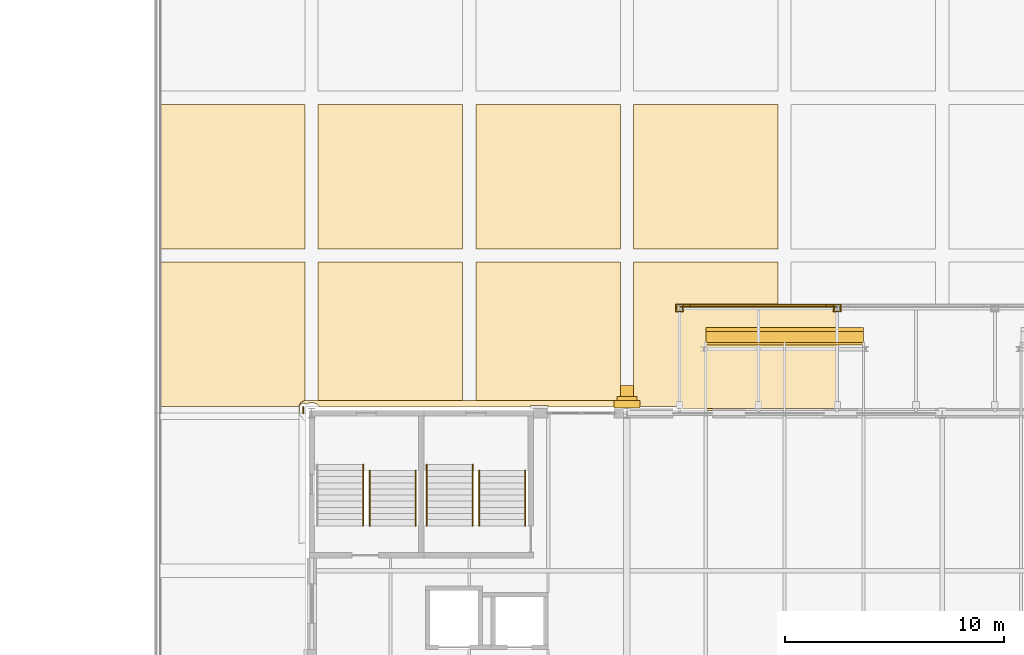
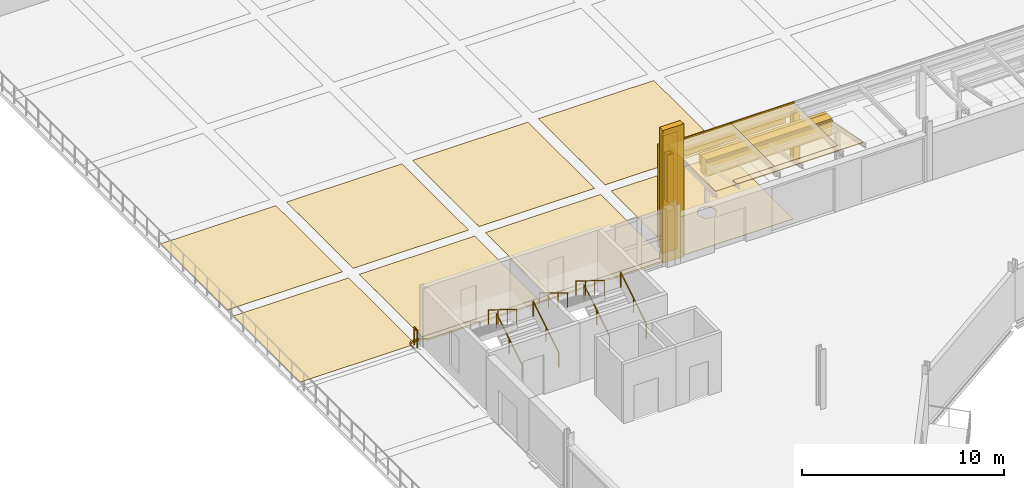
# One storey, part 112 of 143: 30 coverings, 8 railings.
"""IFC4 building model written with IfcOpenShell, lengths in metres."""

from ifc_helpers import new_model, si_unit, direction, frame, origin, origin_2d, place, context, subcontext, project, spatial, polyline, rectangle, circle, outline, extrude, material, layer, layer_set, type_object, element, save


model = new_model("IFC4")

# Units and contexts
model_context = context("Model", 3, precision=1e-05, world=origin(), true_north=direction((0.0, 1.0)))
body_context = subcontext(model_context, "Body", "Model", "MODEL_VIEW")
ifc_project = project(units=[si_unit("LENGTHUNIT", "METRE"), si_unit("AREAUNIT", "SQUARE_METRE"), si_unit("VOLUMEUNIT", "CUBIC_METRE"), si_unit("PLANEANGLEUNIT", "RADIAN"), si_unit("MASSUNIT", "GRAM", prefix="KILO")], contexts=[model_context])

# Site, building, storey
site_placement = place(None, origin())
site = spatial("IfcSite", under=ifc_project, at=site_placement, CompositionType="ELEMENT")
building_placement = place(site_placement, origin())
building = spatial("IfcBuilding", under=site, at=building_placement, Name="Kupolbacken Congress Centre", CompositionType="ELEMENT")
storey_placement = place(building_placement, frame((0.0, 0.0, 7.199951171875)))
storey = spatial("IfcBuildingStorey", under=building, at=storey_placement, Name="L02", CompositionType="ELEMENT", Elevation=7.199951171875)

# Coverings
ifc_material_1 = material(Name="Limestone cladding", Category="masonry")
ifc_layer_1 = layer(ifc_material_1, 0.1201171875)
ifc_layer_set_1 = layer_set([ifc_layer_1], Name="Limestone cladding")
covering_type_1 = type_object("IfcCoveringType", Name="CV1 limestone cladding band 120", PredefinedType="CLADDING", material=ifc_layer_set_1)
for number, where, z_axis, x_axis, name in (
    (1, (24.0, 127.344970703125, 0.0), (0.0, 0.0, 1.0), (1.0, 0.0, 0.0), "E/T/portico/P/col24/cladn"),
    (2, (24.0, 127.054931640625, 0.0), (0.0, 0.0, 1.0), (1.0, 0.0, 0.0), "E/T/portico/P/col24/clads"),
):
    element("IfcCovering", number, at=place(storey_placement, frame(where, z_axis=z_axis, x_axis=x_axis)), inside=storey, type_object=covering_type_1, Name=name, PredefinedType="CLADDING", context=body_context, shape_type="SweptSolid", body=[
        extrude(rectangle(XDim=0.360107421875, YDim=0.06005859375, at=origin_2d()), origin(), (0.0, 0.0, 1.0), 2.8701171875),
    ])
for number, where, z_axis, x_axis, name in (
    (3, (24.14990234375, 127.199951171875, 0.0), (0.0, 0.0, 1.0), (1.0, 0.0, 0.0), "E/T/portico/P/col24/clade"),
    (4, (23.85009765625, 127.199951171875, 0.0), (0.0, 0.0, 1.0), (1.0, 0.0, 0.0), "E/T/portico/P/col24/cladw"),
):
    element("IfcCovering", number, at=place(storey_placement, frame(where, z_axis=z_axis, x_axis=x_axis)), inside=storey, type_object=covering_type_1, Name=name, PredefinedType="CLADDING", context=body_context, shape_type="SweptSolid", body=[
        extrude(rectangle(XDim=0.06005859375, YDim=0.22998046875, at=origin_2d()), origin(), (0.0, 0.0, 1.0), 2.8701171875),
    ])
for number, where, z_axis, x_axis, name in (
    (5, (31.199951171875, 127.344970703125, 0.0), (0.0, 0.0, 1.0), (1.0, 0.0, 0.0), "E/T/portico/P/col31.2/cladn"),
    (6, (31.199951171875, 127.054931640625, 0.0), (0.0, 0.0, 1.0), (1.0, 0.0, 0.0), "E/T/portico/P/col31.2/clads"),
):
    element("IfcCovering", number, at=place(storey_placement, frame(where, z_axis=z_axis, x_axis=x_axis)), inside=storey, type_object=covering_type_1, Name=name, PredefinedType="CLADDING", context=body_context, shape_type="SweptSolid", body=[
        extrude(rectangle(XDim=0.360107421875, YDim=0.06005859375, at=origin_2d()), origin(), (0.0, 0.0, 1.0), 2.8701171875),
    ])
for number, where, z_axis, x_axis, name in (
    (7, (31.35009765625, 127.199951171875, 0.0), (0.0, 0.0, 1.0), (1.0, 0.0, 0.0), "E/T/portico/P/col31.2/clade"),
    (8, (31.050048828125, 127.199951171875, 0.0), (0.0, 0.0, 1.0), (1.0, 0.0, 0.0), "E/T/portico/P/col31.2/cladw"),
):
    element("IfcCovering", number, at=place(storey_placement, frame(where, z_axis=z_axis, x_axis=x_axis)), inside=storey, type_object=covering_type_1, Name=name, PredefinedType="CLADDING", context=body_context, shape_type="SweptSolid", body=[
        extrude(rectangle(XDim=0.06005859375, YDim=0.22998046875, at=origin_2d()), origin(), (0.0, 0.0, 1.0), 2.8701171875),
    ])
covering_1_placement = place(storey_placement, frame((27.60009765625, 127.330078125, 2.5703125), z_axis=(0.0, 0.0, 1.0), x_axis=(1.0, 0.0, 0.0)))
element("IfcCovering", 9, at=covering_1_placement, inside=storey, type_object=covering_type_1, Name="E/T/portico/P/fascia24", PredefinedType="CLADDING", context=body_context, shape_type="SweptSolid", body=[
    extrude(rectangle(XDim=7.199951171875, YDim=0.080078125, at=origin_2d()), origin(), (0.0, 0.0, 1.0), 0.699951171875),
])
covering_2_placement = place(storey_placement, frame((27.60009765625, 127.330078125, 2.27001953125), z_axis=(0.0, 0.0, 1.0), x_axis=(1.0, 0.0, 0.0)))
element("IfcCovering", 10, at=covering_2_placement, inside=storey, type_object=covering_type_1, Name="E/T/portico/P/hood24", PredefinedType="CLADDING", context=body_context, shape_type="SweptSolid", body=[
    extrude(rectangle(XDim=6.199951171875, YDim=0.080078125, at=origin_2d()), origin(), (0.0, 0.0, 1.0), 0.300048828125),
])
ifc_material_2 = material(Name="Limestone cladding", Category="masonry")
ifc_layer_2 = layer(ifc_material_2, 0.5)
ifc_layer_set_2 = layer_set([ifc_layer_2], Name="Limestone cladding")
covering_type_2 = type_object("IfcCoveringType", Name="CV10 limestone cornice 500", PredefinedType="CLADDING", material=ifc_layer_set_2)
covering_3_placement = place(storey_placement, frame((28.800048828125, 125.8701171875, 1.9560546875), z_axis=(0.0, 0.0, 1.0), x_axis=(-1.0, 0.0, 0.0)))
element("IfcCovering", 11, at=covering_3_placement, inside=storey, type_object=covering_type_2, Name="F/HR/canopy/HEN1/board", PredefinedType="CLADDING", context=body_context, shape_type="SweptSolid", body=[
    extrude(rectangle(XDim=7.199951171875, YDim=0.5, at=origin_2d()), origin(), (0.0, 0.0, 1.0), 1.0),
])
ifc_material_3 = material(Name="Limestone cladding", Category="masonry")
ifc_layer_3 = layer(ifc_material_3, 0.35009765625)
ifc_layer_set_3 = layer_set([ifc_layer_3], Name="Limestone cladding")
covering_type_3 = type_object("IfcCoveringType", Name="CV3 limestone pilaster strip 350", PredefinedType="CLADDING", material=ifc_layer_set_3)
covering_4_placement = place(storey_placement, frame((21.60009765625, 122.797607421875, 0.0), z_axis=(0.0, 0.0, 1.0), x_axis=(1.0, 0.0, 0.0)))
element("IfcCovering", 12, at=covering_4_placement, inside=storey, type_object=covering_type_3, Name="F/P/N/pil/00/0", PredefinedType="CLADDING", context=body_context, shape_type="SweptSolid", body=[
    extrude(rectangle(XDim=1.199951171875, YDim=0.344970703125, at=origin_2d()), origin(), (0.0, 0.0, 1.0), 8.02001953125),
])
ifc_material_4 = material(Name="Limestone cladding", Category="masonry")
ifc_layer_4 = layer(ifc_material_4, 0.5)
ifc_layer_set_4 = layer_set([ifc_layer_4], Name="Limestone cladding")
covering_type_4 = type_object("IfcCoveringType", Name="CV8 limestone drum pier 500", PredefinedType="CLADDING", material=ifc_layer_set_4)
covering_5_placement = place(storey_placement, frame((21.60009765625, 123.419921875, 0.300048828125), z_axis=(0.0, 0.0, 1.0), x_axis=(1.0, 0.0, 0.0)))
element("IfcCovering", 13, at=covering_5_placement, inside=storey, type_object=covering_type_4, Name="F/HR/P/N/butt/00-0/0", PredefinedType="CLADDING", context=body_context, shape_type="SweptSolid", body=[
    extrude(rectangle(XDim=0.60009765625, YDim=0.5, at=origin_2d()), origin(), (0.0, 0.0, 1.0), 6.169921875),
])
ifc_material_5 = material(Name="Limestone cladding", Category="masonry")
ifc_layer_5 = layer(ifc_material_5, 0.199951171875)
ifc_layer_set_5 = layer_set([ifc_layer_5], Name="Limestone cladding")
covering_type_5 = type_object("IfcCoveringType", Name="CV9 limestone drum arch frame 200", PredefinedType="CLADDING", material=ifc_layer_set_5)
covering_6_placement = place(storey_placement, frame((21.60009765625, 123.070068359375, 0.300048828125), z_axis=(0.0, 0.0, 1.0), x_axis=(1.0, 0.0, 0.0)))
element("IfcCovering", 14, at=covering_6_placement, inside=storey, type_object=covering_type_5, Name="F/HR/P/N/rib/00-0/0", PredefinedType="CLADDING", context=body_context, shape_type="SweptSolid", body=[
    extrude(rectangle(XDim=0.89990234375, YDim=0.199951171875, at=origin_2d()), origin(), (0.0, 0.0, 1.0), 7.1201171875),
])
covering_7_placement = place(storey_placement, frame((28.800048828125, 126.219970703125, 2.35595703125), z_axis=(0.0, 0.0, 1.0), x_axis=(-1.0, 0.0, 0.0)))
element("IfcCovering", 15, at=covering_7_placement, inside=storey, type_object=covering_type_5, Name="F/HR/canopy/HEN1/cornice", PredefinedType="CLADDING", context=body_context, shape_type="SweptSolid", body=[
    extrude(rectangle(XDim=7.199951171875, YDim=0.199951171875, at=origin_2d()), origin(), (0.0, 0.0, 1.0), 0.60009765625),
])
ifc_material_6 = material(Name="Glass", Category="glass")
ifc_layer_6 = layer(ifc_material_6, 0.0439453125)
ifc_layer_set_6 = layer_set([ifc_layer_6], Name="Glass")
covering_type_6 = type_object("IfcCoveringType", Name="GC1 glazed canopy roof 44", PredefinedType="ROOFING", material=ifc_layer_set_6)
covering_8_placement = place(storey_placement, frame((32.39990234375, 122.510009765625, 3.4111328125), z_axis=(0.0, 0.190941843771, 0.981601351006), x_axis=(0.0, 0.981601351006, -0.190941843771)))
element("IfcCovering", 16, at=covering_8_placement, inside=storey, type_object=covering_type_6, Name="Pitched canopy glass", PredefinedType="ROOFING", context=body_context, shape_type="SweptSolid", body=[
    extrude(outline(polyline([(0.0, 0.0), (3.1684017332356906, 0.0), (3.1684017332356906, 7.199951171875), (0.0, 7.199951171875), (0.0, 0.0)])), origin(), (0.0, 0.0, -1.0), 0.035888671875),
])
for number, where, z_axis, x_axis, name in (
    (17, (25.800048828125, 124.955078125, 3.27001953125), (0.0, 0.0, 1.0), (1.0, 0.0, 0.0), "Portico glass"),
    (18, (29.39990234375, 124.955078125, 3.27001953125), (0.0, 0.0, 1.0), (1.0, 0.0, 0.0), "Portico glass"),
):
    element("IfcCovering", number, at=place(storey_placement, frame(where, z_axis=z_axis, x_axis=x_axis)), inside=storey, type_object=covering_type_6, Name=name, PredefinedType="ROOFING", context=body_context, shape_type="SweptSolid", body=[
        extrude(rectangle(XDim=3.60009765625, YDim=4.669921875, at=origin_2d()), origin(), (0.0, 0.0, 1.0), 0.0439453125),
    ])
ifc_material_7 = material(Name="Limestone cladding", Category="masonry")
ifc_layer_7 = layer(ifc_material_7, 0.02001953125)
ifc_layer_set_7 = layer_set([ifc_layer_7], Name="Limestone cladding")
covering_type_7 = type_object("IfcCoveringType", Name="GF1 limestone paving 20", PredefinedType="FLOORING", material=ifc_layer_set_7)
covering_9_placement = place(storey_placement, origin())
element("IfcCovering", 19, at=covering_9_placement, inside=storey, type_object=covering_type_7, Name="Forecourt limestone paving", PredefinedType="FLOORING", context=body_context, shape_type="SweptSolid", body=[
    extrude(outline(polyline([(21.97119140625, 122.70458984375), (21.939453125, 122.739501953125), (21.904541015625, 122.77099609375), (21.86669921875, 122.799072265625), (21.89990234375, 122.7744140625), (21.89990234375, 129.300048828125), (28.5, 129.300048828125), (28.5, 122.699951171875), (21.974365234375, 122.699951171875), (21.97119140625, 122.70458984375)]), holes=[polyline([(25.55078125, 125.226318359375), (25.5576171875, 125.27294921875), (25.56005859375, 125.320068359375), (25.5576171875, 125.3671875), (25.55078125, 125.413818359375), (25.539306640625, 125.459228515625), (25.5234375, 125.503662109375), (25.50341796875, 125.54638671875), (25.47900390625, 125.586669921875), (25.451171875, 125.62451171875), (25.41943359375, 125.659423828125), (25.384521484375, 125.691162109375), (25.3466796875, 125.718994140625), (25.306396484375, 125.743408203125), (25.263671875, 125.763427734375), (25.21923828125, 125.779296875), (25.173583984375, 125.790771484375), (25.127197265625, 125.797607421875), (25.080078125, 125.800048828125), (25.032958984375, 125.797607421875), (24.986328125, 125.790771484375), (24.940673828125, 125.779296875), (24.896240234375, 125.763427734375), (24.853759765625, 125.743408203125), (24.813232421875, 125.718994140625), (24.775390625, 125.691162109375), (24.740478515625, 125.659423828125), (24.708984375, 125.62451171875), (24.680908203125, 125.586669921875), (24.656494140625, 125.54638671875), (24.636474609375, 125.503662109375), (24.62060546875, 125.459228515625), (24.609130859375, 125.413818359375), (24.602294921875, 125.3671875), (24.60009765625, 125.320068359375), (24.602294921875, 125.27294921875), (24.609130859375, 125.226318359375), (24.62060546875, 125.1806640625), (24.636474609375, 125.13623046875), (24.656494140625, 125.09375), (24.680908203125, 125.05322265625), (24.708984375, 125.015380859375), (24.740478515625, 124.980712890625), (24.775390625, 124.948974609375), (24.813232421875, 124.9208984375), (24.853759765625, 124.896484375), (24.896240234375, 124.87646484375), (24.940673828125, 124.860595703125), (24.986328125, 124.84912109375), (25.032958984375, 124.84228515625), (25.080078125, 124.840087890625), (25.127197265625, 124.84228515625), (25.173583984375, 124.84912109375), (25.21923828125, 124.860595703125), (25.263671875, 124.87646484375), (25.306396484375, 124.896484375), (25.3466796875, 124.9208984375), (25.384521484375, 124.948974609375), (25.41943359375, 124.980712890625), (25.451171875, 125.015380859375), (25.47900390625, 125.05322265625), (25.50341796875, 125.09375), (25.5234375, 125.13623046875), (25.539306640625, 125.1806640625), (25.55078125, 125.226318359375)])]), origin(), (0.0, 0.0, 1.0), 0.02001953125),
])
covering_10_placement = place(storey_placement, origin())
element("IfcCovering", 20, at=covering_10_placement, inside=storey, type_object=covering_type_7, Name="Forecourt limestone paving", PredefinedType="FLOORING", context=body_context, shape_type="SweptSolid", body=[
    extrude(outline(polyline([(14.699951171875, 122.97509765625), (14.699951171875, 129.300048828125), (21.300048828125, 129.300048828125), (21.300048828125, 122.97509765625), (14.699951171875, 122.97509765625)])), origin(), (0.0, 0.0, 1.0), 0.02001953125),
])
covering_11_placement = place(storey_placement, origin())
element("IfcCovering", 21, at=covering_11_placement, inside=storey, type_object=covering_type_7, Name="Forecourt limestone paving", PredefinedType="FLOORING", context=body_context, shape_type="SweptSolid", body=[
    extrude(outline(polyline([(7.5, 122.97509765625), (7.5, 129.300048828125), (14.10009765625, 129.300048828125), (14.10009765625, 122.97509765625), (7.5, 122.97509765625)])), origin(), (0.0, 0.0, 1.0), 0.02001953125),
])
covering_12_placement = place(storey_placement, origin())
element("IfcCovering", 22, at=covering_12_placement, inside=storey, type_object=covering_type_7, Name="Forecourt limestone paving", PredefinedType="FLOORING", context=body_context, shape_type="SweptSolid", body=[
    extrude(outline(polyline([(6.8955078125, 122.9736328125), (6.866455078125, 122.96923828125), (6.837890625, 122.962158203125), (6.810302734375, 122.9521484375), (6.78369140625, 122.939697265625), (6.75830078125, 122.92431640625), (6.734619140625, 122.906982421875), (6.712890625, 122.88720703125), (6.693115234375, 122.865234375), (6.675537109375, 122.841796875), (6.660400390625, 122.81640625), (6.647705078125, 122.789794921875), (6.637939453125, 122.76220703125), (6.630859375, 122.7333984375), (6.626220703125, 122.699951171875), (0.301025390625, 122.699951171875), (0.301025390625, 129.300048828125), (6.89990234375, 129.300048828125), (6.89990234375, 122.973876953125), (6.925048828125, 122.97509765625), (6.8955078125, 122.9736328125)])), origin(), (0.0, 0.0, 1.0), 0.02001953125),
])
covering_13_placement = place(storey_placement, origin())
element("IfcCovering", 23, at=covering_13_placement, inside=storey, type_object=covering_type_7, Name="Forecourt limestone paving", PredefinedType="FLOORING", context=body_context, shape_type="SweptSolid", body=[
    extrude(outline(polyline([(0.301025390625, 136.5), (6.89990234375, 136.5), (6.89990234375, 129.89990234375), (0.301025390625, 129.89990234375), (0.301025390625, 136.5)])), origin(), (0.0, 0.0, 1.0), 0.02001953125),
])
covering_14_placement = place(storey_placement, origin())
element("IfcCovering", 24, at=covering_14_placement, inside=storey, type_object=covering_type_7, Name="Forecourt limestone paving", PredefinedType="FLOORING", context=body_context, shape_type="SweptSolid", body=[
    extrude(outline(polyline([(21.89990234375, 129.89990234375), (21.89990234375, 136.5), (28.5, 136.5), (28.5, 129.89990234375), (21.89990234375, 129.89990234375)])), origin(), (0.0, 0.0, 1.0), 0.02001953125),
])
covering_15_placement = place(storey_placement, origin())
element("IfcCovering", 25, at=covering_15_placement, inside=storey, type_object=covering_type_7, Name="Forecourt limestone paving", PredefinedType="FLOORING", context=body_context, shape_type="SweptSolid", body=[
    extrude(outline(polyline([(14.699951171875, 129.89990234375), (14.699951171875, 136.5), (21.300048828125, 136.5), (21.300048828125, 129.89990234375), (14.699951171875, 129.89990234375)])), origin(), (0.0, 0.0, 1.0), 0.02001953125),
])
covering_16_placement = place(storey_placement, origin())
element("IfcCovering", 26, at=covering_16_placement, inside=storey, type_object=covering_type_7, Name="Forecourt limestone paving", PredefinedType="FLOORING", context=body_context, shape_type="SweptSolid", body=[
    extrude(outline(polyline([(7.5, 129.89990234375), (7.5, 136.5), (14.10009765625, 136.5), (14.10009765625, 129.89990234375), (7.5, 129.89990234375)])), origin(), (0.0, 0.0, 1.0), 0.02001953125),
])
ifc_material_8 = material(Name="Granite setts", Category="masonry")
ifc_layer_8 = layer(ifc_material_8, 0.10009765625)
ifc_layer_set_8 = layer_set([ifc_layer_8], Name="Granite setts")
covering_type_8 = type_object("IfcCoveringType", Name="GR3 granite sett paving 100", PredefinedType="FLOORING", material=ifc_layer_set_8)
covering_17_placement = place(storey_placement, origin())
element("IfcCovering", 27, at=covering_17_placement, inside=storey, type_object=covering_type_8, Name="Granite kerb edging", PredefinedType="FLOORING", context=body_context, shape_type="SweptSolid", body=[
    extrude(outline(polyline([(21.693603515625, 122.870849609375), (21.647216796875, 122.877685546875), (21.60009765625, 122.8798828125), (21.552978515625, 122.877685546875), (21.50634765625, 122.870849609375), (21.460693359375, 122.859375), (21.416259765625, 122.843505859375), (21.373779296875, 122.823486328125), (21.333251953125, 122.799072265625), (21.29541015625, 122.77099609375), (21.260498046875, 122.739501953125), (21.22900390625, 122.70458984375), (21.20849609375, 122.677001953125), (18.001953125, 122.677001953125), (18.001953125, 122.741943359375), (17.197998046875, 122.741943359375), (17.197998046875, 122.677001953125), (7.591552734375, 122.677001953125), (7.571044921875, 122.70458984375), (7.539306640625, 122.739501953125), (7.50439453125, 122.77099609375), (7.466796875, 122.799072265625), (7.42626953125, 122.823486328125), (7.3837890625, 122.843505859375), (7.33935546875, 122.859375), (7.293701171875, 122.870849609375), (7.2470703125, 122.877685546875), (7.199951171875, 122.8798828125), (7.15283203125, 122.877685546875), (7.106201171875, 122.870849609375), (7.060791015625, 122.859375), (7.016357421875, 122.843505859375), (6.9736328125, 122.823486328125), (6.94677734375, 122.807373046875), (6.925048828125, 122.82470703125), (6.893798828125, 122.84130859375), (6.860107421875, 122.8515625), (6.824951171875, 122.85498046875), (6.807373046875, 122.854248046875), (6.772705078125, 122.847412109375), (6.739990234375, 122.833740234375), (6.710693359375, 122.814208984375), (6.685791015625, 122.789306640625), (6.666259765625, 122.760009765625), (6.65869140625, 122.743896484375), (6.6484375, 122.710205078125), (6.64501953125, 122.67578125), (6.64501953125, 122.402099609375), (6.625, 122.402099609375), (6.625, 122.675048828125), (6.62646484375, 122.704345703125), (6.630859375, 122.7333984375), (6.637939453125, 122.76220703125), (6.647705078125, 122.789794921875), (6.660400390625, 122.81640625), (6.675537109375, 122.841796875), (6.693115234375, 122.865234375), (6.712890625, 122.88720703125), (6.734619140625, 122.906982421875), (6.75830078125, 122.92431640625), (6.78369140625, 122.939697265625), (6.810302734375, 122.9521484375), (6.837890625, 122.962158203125), (6.866455078125, 122.96923828125), (6.8955078125, 122.9736328125), (6.925048828125, 122.97509765625), (21.861083984375, 122.97509765625), (21.853759765625, 122.9462890625), (21.834716796875, 122.818115234375), (21.78369140625, 122.843505859375), (21.7392578125, 122.859375), (21.693603515625, 122.870849609375)])), origin(), (0.0, 0.0, 1.0), 0.10009765625),
])

# Railings
ifc_material_9 = material(Name="Steel S235", Category="steel")
railing_type_1 = type_object("IfcRailingType", Name="RL1 guard 1100 steel balustrade", PredefinedType="GUARDRAIL", material=ifc_material_9)
railing_1_placement = place(storey_placement, frame((6.824951171875, 122.675048828125, 0.0)))
element("IfcRailing", 28, at=railing_1_placement, inside=storey, type_object=railing_type_1, Name="E/deckguard/009", PredefinedType="GUARDRAIL", context=body_context, shape_type="SweptSolid", body=[
    extrude(circle(Radius=0.02392578125, at=origin_2d()), frame((0.0, 0.0, 1.076171875), z_axis=(0.0, -1.0, 0.0), x_axis=(1.0, 0.0, 0.0)), (0.0, 0.0, 1.0), 0.275146484375),
    extrude(circle(Radius=0.02099609375, at=origin_2d()), origin(), (0.0, 0.0, 1.0), 1.052001953125),
    extrude(circle(Radius=0.02099609375, at=origin_2d()), frame((0.0, -0.275146484375, 0.0)), (0.0, 0.0, 1.0), 1.052001953125),
])
ifc_material_10 = material(Name="Steel S235", Category="steel")
railing_type_2 = type_object("IfcRailingType", Name="RL3 handrail wall-mounted 900", PredefinedType="HANDRAIL", material=ifc_material_10)
for number, where, name in (
    (29, (9.85009765625, 117.2548828125, 0.17138671875), "C/stair/PS1NW/L02/HR1L"),
    (30, (11.949951171875, 117.2548828125, 0.17138671875), "C/stair/PS1NW/L02/HR1R"),
):
    element("IfcRailing", number, at=place(storey_placement, frame(where)), inside=storey, type_object=railing_type_2, Name=name, PredefinedType="HANDRAIL", context=body_context, shape_type="SweptSolid", body=[
        extrude(circle(Radius=0.02392578125, at=origin_2d()), frame((0.0, 0.0, 0.8759765625), z_axis=(0.0, 0.852836285881, 0.522178388565), x_axis=(-1.0, 0.0, 0.0)), (0.0, 0.0, 1.0), 2.954833984375),
        extrude(circle(Radius=0.02099609375, at=origin_2d()), origin(), (0.0, 0.0, 1.0), 0.851806640625),
        extrude(circle(Radius=0.02099609375, at=origin_2d()), frame((0.0, 1.260009765625, 0.771484375)), (0.0, 0.0, 1.0), 0.851806640625),
        extrude(circle(Radius=0.02099609375, at=origin_2d()), frame((0.0, 2.52001953125, 1.54296875)), (0.0, 0.0, 1.0), 0.851806640625),
    ])
railing_2_placement = place(storey_placement, frame((9.550048828125, 120.054931640625, 1.8857421875)))
element("IfcRailing", 31, at=railing_2_placement, inside=storey, type_object=railing_type_2, Name="C/stair/PS1NW/L02/HR2L", PredefinedType="HANDRAIL", context=body_context, shape_type="SweptSolid", body=[
    extrude(circle(Radius=0.02392578125, at=origin_2d()), frame((0.0, 0.0, 0.8759765625), z_axis=(0.0, -0.852845897599, 0.522162690116), x_axis=(1.0, 0.0, 0.0)), (0.0, 0.0, 1.0), 3.283203125),
    extrude(circle(Radius=0.02099609375, at=origin_2d()), origin(), (0.0, 0.0, 1.0), 0.851806640625),
    extrude(circle(Radius=0.02099609375, at=origin_2d()), frame((0.0, -0.933349609375, 0.571533203125)), (0.0, 0.0, 1.0), 0.851806640625),
    extrude(circle(Radius=0.02099609375, at=origin_2d()), frame((0.0, -1.86669921875, 1.142822265625)), (0.0, 0.0, 1.0), 0.851806640625),
    extrude(circle(Radius=0.02099609375, at=origin_2d()), frame((0.0, -2.800048828125, 1.71435546875)), (0.0, 0.0, 1.0), 0.851806640625),
])
for number, where, name in (
    (32, (14.85009765625, 117.2548828125, 0.17138671875), "C/stair/PS2NW/L02/HR1L"),
    (33, (16.949951171875, 117.2548828125, 0.17138671875), "C/stair/PS2NW/L02/HR1R"),
):
    element("IfcRailing", number, at=place(storey_placement, frame(where)), inside=storey, type_object=railing_type_2, Name=name, PredefinedType="HANDRAIL", context=body_context, shape_type="SweptSolid", body=[
        extrude(circle(Radius=0.02392578125, at=origin_2d()), frame((0.0, 0.0, 0.8759765625), z_axis=(0.0, 0.852836285881, 0.522178388565), x_axis=(-1.0, 0.0, 0.0)), (0.0, 0.0, 1.0), 2.954833984375),
        extrude(circle(Radius=0.02099609375, at=origin_2d()), origin(), (0.0, 0.0, 1.0), 0.851806640625),
        extrude(circle(Radius=0.02099609375, at=origin_2d()), frame((0.0, 1.260009765625, 0.771484375)), (0.0, 0.0, 1.0), 0.851806640625),
        extrude(circle(Radius=0.02099609375, at=origin_2d()), frame((0.0, 2.52001953125, 1.54296875)), (0.0, 0.0, 1.0), 0.851806640625),
    ])
for number, where, name in (
    (34, (14.550048828125, 120.054931640625, 1.8857421875), "C/stair/PS2NW/L02/HR2L"),
    (35, (12.449951171875, 120.054931640625, 1.8857421875), "C/stair/PS2NW/L02/HR2R"),
):
    element("IfcRailing", number, at=place(storey_placement, frame(where)), inside=storey, type_object=railing_type_2, Name=name, PredefinedType="HANDRAIL", context=body_context, shape_type="SweptSolid", body=[
        extrude(circle(Radius=0.02392578125, at=origin_2d()), frame((0.0, 0.0, 0.8759765625), z_axis=(0.0, -0.852845897599, 0.522162690116), x_axis=(1.0, 0.0, 0.0)), (0.0, 0.0, 1.0), 3.283203125),
        extrude(circle(Radius=0.02099609375, at=origin_2d()), origin(), (0.0, 0.0, 1.0), 0.851806640625),
        extrude(circle(Radius=0.02099609375, at=origin_2d()), frame((0.0, -0.933349609375, 0.571533203125)), (0.0, 0.0, 1.0), 0.851806640625),
        extrude(circle(Radius=0.02099609375, at=origin_2d()), frame((0.0, -1.86669921875, 1.142822265625)), (0.0, 0.0, 1.0), 0.851806640625),
        extrude(circle(Radius=0.02099609375, at=origin_2d()), frame((0.0, -2.800048828125, 1.71435546875)), (0.0, 0.0, 1.0), 0.851806640625),
    ])

# Coverings
ifc_material_11 = material(Name="Steel S355", Category="steel")
ifc_layer_9 = layer(ifc_material_11, 0.06005859375)
ifc_layer_set_9 = layer_set([ifc_layer_9], Name="Steel S355")
covering_type_9 = type_object("IfcCoveringType", Name="SG1 snow guard bar 60 x 100", PredefinedType="CLADDING", material=ifc_layer_set_9)
covering_18_placement = place(storey_placement, frame((28.800048828125, 125.570068359375, 2.815673828125), z_axis=(0.0, 0.0, 1.0), x_axis=(-1.0, 0.0, 0.0)))
element("IfcCovering", 36, at=covering_18_placement, inside=storey, type_object=covering_type_9, Name="Snow guard", PredefinedType="CLADDING", context=body_context, shape_type="SweptSolid", body=[
    extrude(rectangle(XDim=7.199951171875, YDim=0.10009765625, at=origin_2d()), origin(), (0.0, 0.0, 1.0), 0.10009765625),
])
for number, where, z_axis, x_axis, name in (
    (37, (25.800048828125, 127.260009765625, 3.31396484375), (0.0, 0.0, 1.0), (1.0, 0.0, 0.0), "Snow guard"),
    (38, (29.39990234375, 127.260009765625, 3.31396484375), (0.0, 0.0, 1.0), (1.0, 0.0, 0.0), "Snow guard"),
):
    element("IfcCovering", number, at=place(storey_placement, frame(where, z_axis=z_axis, x_axis=x_axis)), inside=storey, type_object=covering_type_9, Name=name, PredefinedType="CLADDING", context=body_context, shape_type="SweptSolid", body=[
        extrude(rectangle(XDim=3.60009765625, YDim=0.06005859375, at=origin_2d()), origin(), (0.0, 0.0, 1.0), 0.10009765625),
    ])

save(model, "model.ifc")
